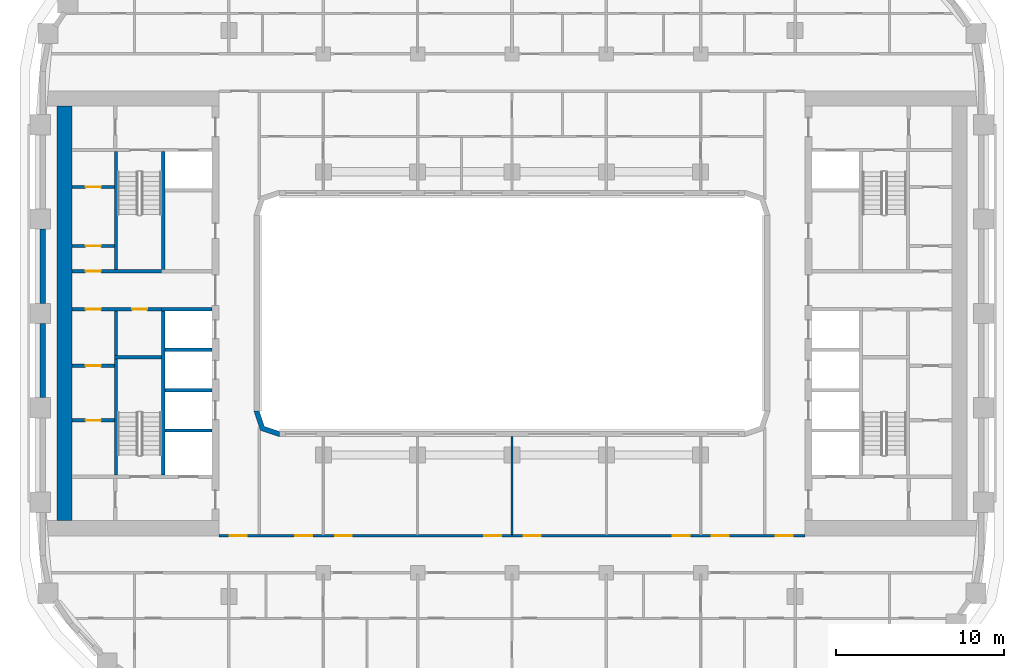
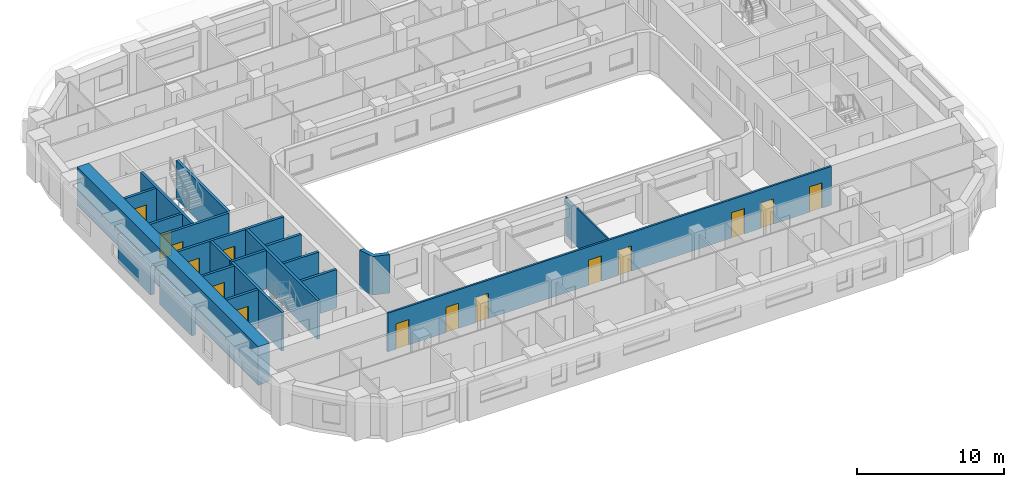
# One storey, part 4 of 21: 22 walls, 15 doors, 15 openings.
"""IFC4 building model written with IfcOpenShell, lengths in metres."""

from ifc_helpers import new_model, si_unit, direction, frame, frame_2d, origin, place, context, subcontext, project, spatial, polyline, rectangle, outline, extrude, material, layer, layer_set, type_object, element, fill, save


model = new_model("IFC4")

# Units and contexts
model_context = context("Model", 3, precision=1e-05, world=origin(), true_north=direction((0.0, 1.0)))
body_context = subcontext(model_context, "Body", "Model", "MODEL_VIEW")
ifc_project = project(units=[si_unit("LENGTHUNIT", "METRE"), si_unit("AREAUNIT", "SQUARE_METRE"), si_unit("VOLUMEUNIT", "CUBIC_METRE"), si_unit("PLANEANGLEUNIT", "RADIAN"), si_unit("MASSUNIT", "GRAM", prefix="KILO")], contexts=[model_context])

# Site, building, storey
site_placement = place(None, origin())
site = spatial("IfcSite", under=ifc_project, at=site_placement, CompositionType="ELEMENT")
building_placement = place(site_placement, origin())
building = spatial("IfcBuilding", under=site, at=building_placement, Name="Kiln Ring Residences", CompositionType="ELEMENT")
storey_placement = place(building_placement, frame((0.0, 0.0, 114.800048828125)))
storey = spatial("IfcBuildingStorey", under=building, at=storey_placement, Name="L29", CompositionType="ELEMENT", Elevation=114.800048828125)

# Wall
ifc_material_1 = material(Name="Gypsum board on steel studs", Category="steel")
ifc_layer_1 = layer(ifc_material_1, 0.199951171875)
ifc_layer_set_1 = layer_set([ifc_layer_1], Name="CORE-PARTITION-200")
wall_type_1 = type_object("IfcWallType", Name="CORE-PARTITION-200", PredefinedType="PARTITIONING", material=ifc_layer_set_1)
wall_1_placement = place(storey_placement, frame((-23.5, -2.5, 0.0), z_axis=(0.0, 0.0, 1.0), x_axis=(0.0, 1.0, 0.0)))
element("IfcWall", 1, at=wall_1_placement, inside=storey, type_object=wall_type_1, Name="Core partition west L29 1", PredefinedType="PARTITIONING", context=body_context, shape_type="SweptSolid", body=[
    extrude(rectangle(XDim=2.64990234375, YDim=0.199951171875, at=frame_2d((1.324951171875, 0.0))), origin(), (0.0, 0.0, 1.0), 3.199951171875),
])

# Wall, openings, doors
wall_2_placement = place(storey_placement, frame((-20.800048828125, 0.25, 0.0), z_axis=(0.0, 0.0, 1.0), x_axis=(-1.0, 0.0, 0.0)))
wall_2 = element("IfcWall", 2, at=wall_2_placement, inside=storey, type_object=wall_type_1, Name="Core partition west L29 2", PredefinedType="PARTITIONING", context=body_context, shape_type="SweptSolid", body=[
    extrude(rectangle(XDim=5.300048828125, YDim=0.199951171875, at=frame_2d((2.64990234375, 0.0))), origin(), (0.0, 0.0, 1.0), 3.199951171875),
])
opening_1_placement = place(wall_2_placement, frame((0.85009765625, 0.0, 0.0)))
opening_1 = element("IfcOpeningElement", 3, at=opening_1_placement, cuts=wall_2, Name="Opening L29-CW14", PredefinedType="OPENING", context=body_context, shape_type="SweptSolid", body=[
    extrude(rectangle(XDim=0.89990234375, YDim=2.10009765625, at=frame_2d((0.449951171875, 1.050048828125))), frame((0.0, 0.10986328125, 0.0), z_axis=(0.0, -1.0, 0.0), x_axis=(1.0, 0.0, 0.0)), (0.0, 0.0, 1.0), 0.219970703125),
])
opening_2_placement = place(wall_2_placement, frame((3.60009765625, 0.0, 0.0)))
opening_2 = element("IfcOpeningElement", 4, at=opening_2_placement, cuts=wall_2, Name="Opening L29-CW17", PredefinedType="OPENING", context=body_context, shape_type="SweptSolid", body=[
    extrude(rectangle(XDim=0.89990234375, YDim=2.10009765625, at=frame_2d((0.449951171875, 1.050048828125))), frame((0.0, 0.10986328125, 0.0), z_axis=(0.0, -1.0, 0.0), x_axis=(1.0, 0.0, 0.0)), (0.0, 0.0, 1.0), 0.219970703125),
])
ifc_material_2 = material(Name="Steel door leaf", Category="steel")
door_type_1 = type_object("IfcDoorType", Name="CORE-DOOR-ROOM", OperationType="SINGLE_SWING_LEFT", PredefinedType="DOOR", material=ifc_material_2)
door_1_placement = place(opening_1_placement, origin())
door_1 = element("IfcDoor", 5, at=door_1_placement, inside=storey, type_object=door_type_1, Name="Electrical riser room L29-CW14", OperationType="SINGLE_SWING_RIGHT", OverallHeight=2.10009765625, OverallWidth=0.89990234375, PredefinedType="DOOR", context=body_context, shape_type="SweptSolid", body=[
    extrude(rectangle(XDim=0.89990234375, YDim=2.10009765625, at=frame_2d((0.449951171875, 1.050048828125))), frame((0.0, 0.02490234375, 0.0), z_axis=(0.0, -1.0, 0.0), x_axis=(1.0, 0.0, 0.0)), (0.0, 0.0, 1.0), 0.050048828125),
])
fill(opening_1, door_1)
door_2_placement = place(opening_2_placement, origin())
door_2 = element("IfcDoor", 6, at=door_2_placement, inside=storey, type_object=door_type_1, Name="Plant room L29-CW17", OperationType="SINGLE_SWING_LEFT", OverallHeight=2.10009765625, OverallWidth=0.89990234375, PredefinedType="DOOR", context=body_context, shape_type="SweptSolid", body=[
    extrude(rectangle(XDim=0.89990234375, YDim=2.10009765625, at=frame_2d((0.449951171875, 1.050048828125))), frame((0.0, 0.02490234375, 0.0), z_axis=(0.0, -1.0, 0.0), x_axis=(1.0, 0.0, 0.0)), (0.0, 0.0, 1.0), 0.050048828125),
])
fill(opening_2, door_2)

# Wall, opening, door
wall_3_placement = place(storey_placement, frame((-23.60009765625, -6.35009765625, 0.0), z_axis=(0.0, 0.0, 1.0), x_axis=(-1.0, 0.0, 0.0)))
wall_3 = element("IfcWall", 7, at=wall_3_placement, inside=storey, type_object=wall_type_1, Name="Core partition west L29 5", PredefinedType="PARTITIONING", context=body_context, shape_type="SweptSolid", body=[
    extrude(rectangle(XDim=2.5, YDim=0.199951171875, at=frame_2d((1.25, 0.0))), origin(), (0.0, 0.0, 1.0), 3.199951171875),
])
opening_3_placement = place(wall_3_placement, frame((0.800048828125, 0.0, 0.0)))
opening_3 = element("IfcOpeningElement", 8, at=opening_3_placement, cuts=wall_3, Name="Opening L29-CW15", PredefinedType="OPENING", context=body_context, shape_type="SweptSolid", body=[
    extrude(rectangle(XDim=0.89990234375, YDim=2.10009765625, at=frame_2d((0.449951171875, 1.050048828125))), frame((0.0, 0.10986328125, 0.0), z_axis=(0.0, -1.0, 0.0), x_axis=(1.0, 0.0, 0.0)), (0.0, 0.0, 1.0), 0.219970703125),
])
door_3_placement = place(opening_3_placement, origin())
door_3 = element("IfcDoor", 9, at=door_3_placement, inside=storey, type_object=door_type_1, Name="Meter room L29-CW15", OperationType="SINGLE_SWING_RIGHT", OverallHeight=2.10009765625, OverallWidth=0.89990234375, PredefinedType="DOOR", context=body_context, shape_type="SweptSolid", body=[
    extrude(rectangle(XDim=0.89990234375, YDim=2.10009765625, at=frame_2d((0.449951171875, 1.050048828125))), frame((0.0, 0.02490234375, 0.0), z_axis=(0.0, -1.0, 0.0), x_axis=(1.0, 0.0, 0.0)), (0.0, 0.0, 1.0), 0.050048828125),
])
fill(opening_3, door_3)

wall_4_placement = place(storey_placement, frame((-23.60009765625, -3.10009765625, 0.0), z_axis=(0.0, 0.0, 1.0), x_axis=(-1.0, 0.0, 0.0)))
wall_4 = element("IfcWall", 10, at=wall_4_placement, inside=storey, type_object=wall_type_1, Name="Core partition west L29 6", PredefinedType="PARTITIONING", context=body_context, shape_type="SweptSolid", body=[
    extrude(rectangle(XDim=2.5, YDim=0.199951171875, at=frame_2d((1.25, 0.0))), origin(), (0.0, 0.0, 1.0), 3.199951171875),
])
opening_4_placement = place(wall_4_placement, frame((0.800048828125, 0.0, 0.0)))
opening_4 = element("IfcOpeningElement", 11, at=opening_4_placement, cuts=wall_4, Name="Opening L29-CW16", PredefinedType="OPENING", context=body_context, shape_type="SweptSolid", body=[
    extrude(rectangle(XDim=0.89990234375, YDim=2.10009765625, at=frame_2d((0.449951171875, 1.050048828125))), frame((0.0, 0.10986328125, 0.0), z_axis=(0.0, -1.0, 0.0), x_axis=(1.0, 0.0, 0.0)), (0.0, 0.0, 1.0), 0.219970703125),
])
door_4_placement = place(opening_4_placement, origin())
door_4 = element("IfcDoor", 12, at=door_4_placement, inside=storey, type_object=door_type_1, Name="Plant room L29-CW16", OperationType="SINGLE_SWING_LEFT", OverallHeight=2.10009765625, OverallWidth=0.89990234375, PredefinedType="DOOR", context=body_context, shape_type="SweptSolid", body=[
    extrude(rectangle(XDim=0.89990234375, YDim=2.10009765625, at=frame_2d((0.449951171875, 1.050048828125))), frame((0.0, 0.02490234375, 0.0), z_axis=(0.0, -1.0, 0.0), x_axis=(1.0, 0.0, 0.0)), (0.0, 0.0, 1.0), 0.050048828125),
])
fill(opening_4, door_4)

wall_5_placement = place(storey_placement, frame((-23.60009765625, 4.0, 0.0), z_axis=(0.0, 0.0, 1.0), x_axis=(-1.0, 0.0, 0.0)))
wall_5 = element("IfcWall", 13, at=wall_5_placement, inside=storey, type_object=wall_type_1, Name="Core partition west L29 7", PredefinedType="PARTITIONING", context=body_context, shape_type="SweptSolid", body=[
    extrude(rectangle(XDim=2.5, YDim=0.199951171875, at=frame_2d((1.25, 0.0))), origin(), (0.0, 0.0, 1.0), 3.199951171875),
])
opening_5_placement = place(wall_5_placement, frame((0.800048828125, 0.0, 0.0)))
opening_5 = element("IfcOpeningElement", 14, at=opening_5_placement, cuts=wall_5, Name="Opening L29-CW18", PredefinedType="OPENING", context=body_context, shape_type="SweptSolid", body=[
    extrude(rectangle(XDim=0.89990234375, YDim=2.10009765625, at=frame_2d((0.449951171875, 1.050048828125))), frame((0.0, 0.10986328125, 0.0), z_axis=(0.0, -1.0, 0.0), x_axis=(1.0, 0.0, 0.0)), (0.0, 0.0, 1.0), 0.219970703125),
])
door_5_placement = place(opening_5_placement, origin())
door_5 = element("IfcDoor", 15, at=door_5_placement, inside=storey, type_object=door_type_1, Name="Electrical plant room L29-CW18", OperationType="SINGLE_SWING_LEFT", OverallHeight=2.10009765625, OverallWidth=0.89990234375, PredefinedType="DOOR", context=body_context, shape_type="SweptSolid", body=[
    extrude(rectangle(XDim=0.89990234375, YDim=2.10009765625, at=frame_2d((0.449951171875, 1.050048828125))), frame((0.0, 0.02490234375, 0.0), z_axis=(0.0, -1.0, 0.0), x_axis=(1.0, 0.0, 0.0)), (0.0, 0.0, 1.0), 0.050048828125),
])
fill(opening_5, door_5)

wall_6_placement = place(storey_placement, frame((-23.60009765625, 7.5, 0.0), z_axis=(0.0, 0.0, 1.0), x_axis=(-1.0, 0.0, 0.0)))
wall_6 = element("IfcWall", 16, at=wall_6_placement, inside=storey, type_object=wall_type_1, Name="Core partition west L29 8", PredefinedType="PARTITIONING", context=body_context, shape_type="SweptSolid", body=[
    extrude(rectangle(XDim=2.5, YDim=0.199951171875, at=frame_2d((1.25, 0.0))), origin(), (0.0, 0.0, 1.0), 3.199951171875),
])
opening_6_placement = place(wall_6_placement, frame((0.800048828125, 0.0, 0.0)))
opening_6 = element("IfcOpeningElement", 17, at=opening_6_placement, cuts=wall_6, Name="Opening L29-CW19", PredefinedType="OPENING", context=body_context, shape_type="SweptSolid", body=[
    extrude(rectangle(XDim=0.89990234375, YDim=2.10009765625, at=frame_2d((0.449951171875, 1.050048828125))), frame((0.0, 0.10986328125, 0.0), z_axis=(0.0, -1.0, 0.0), x_axis=(1.0, 0.0, 0.0)), (0.0, 0.0, 1.0), 0.219970703125),
])
door_6_placement = place(opening_6_placement, origin())
door_6 = element("IfcDoor", 18, at=door_6_placement, inside=storey, type_object=door_type_1, Name="UPS room L29-CW19", OperationType="SINGLE_SWING_RIGHT", OverallHeight=2.10009765625, OverallWidth=0.89990234375, PredefinedType="DOOR", context=body_context, shape_type="SweptSolid", body=[
    extrude(rectangle(XDim=0.89990234375, YDim=2.10009765625, at=frame_2d((0.449951171875, 1.050048828125))), frame((0.0, 0.02490234375, 0.0), z_axis=(0.0, -1.0, 0.0), x_axis=(1.0, 0.0, 0.0)), (0.0, 0.0, 1.0), 0.050048828125),
])
fill(opening_6, door_6)

# Walls
ifc_material_3 = material(Name="Gypsum shaft wall system")
ifc_layer_2 = layer(ifc_material_3, 0.199951171875)
ifc_layer_set_2 = layer_set([ifc_layer_2], Name="CORE-SHAFT-WALL-200")
wall_type_2 = type_object("IfcWallType", Name="CORE-SHAFT-WALL-200", PredefinedType="PARTITIONING", material=ifc_layer_set_2)
for number, where, z_axis, x_axis, name in (
    (19, (-17.800048828125, -6.949951171875, 0.0), (0.0, 0.0, 1.0), (-1.0, 0.0, 0.0), "Core partition west L29 9"),
    (20, (-17.800048828125, -4.550048828125, 0.0), (0.0, 0.0, 1.0), (-1.0, 0.0, 0.0), "Core partition west L29 10"),
    (21, (-17.800048828125, -2.14990234375, 0.0), (0.0, 0.0, 1.0), (-1.0, 0.0, 0.0), "Core partition west L29 11"),
):
    element("IfcWall", number, at=place(storey_placement, frame(where, z_axis=z_axis, x_axis=x_axis)), inside=storey, type_object=wall_type_2, Name=name, PredefinedType="PARTITIONING", context=body_context, shape_type="SweptSolid", body=[
        extrude(rectangle(XDim=2.800048828125, YDim=0.199951171875, at=frame_2d((1.39990234375, 0.0))), origin(), (0.0, 0.0, 1.0), 3.199951171875),
    ])
wall_7_placement = place(storey_placement, frame((-17.800048828125, 0.25, 0.0), z_axis=(0.0, 0.0, 1.0), x_axis=(-1.0, 0.0, 0.0)))
element("IfcWall", 22, at=wall_7_placement, inside=storey, type_object=wall_type_2, Name="Core partition west L29 12", PredefinedType="PARTITIONING", context=body_context, shape_type="SweptSolid", body=[
    extrude(rectangle(XDim=3.0, YDim=0.199951171875, at=frame_2d((1.5, 0.0))), origin(), (0.0, 0.0, 1.0), 3.199951171875),
])
ifc_material_4 = material(Name="Concrete C40/50", Category="concrete")
ifc_layer_3 = layer(ifc_material_4, 0.199951171875)
ifc_layer_set_3 = layer_set([ifc_layer_3], Name="CORE-WALL-RC200")
wall_type_3 = type_object("IfcWallType", Name="CORE-WALL-RC200", PredefinedType="SHEAR", material=ifc_layer_set_3)
wall_8_placement = place(storey_placement, frame((-20.699951171875, 2.60009765625, 0.0), z_axis=(0.0, 0.0, 1.0), x_axis=(0.0, 1.0, 0.0)))
element("IfcWall", 23, at=wall_8_placement, inside=storey, type_object=wall_type_3, Name="Core wall west L29 1", PredefinedType="SHEAR", context=body_context, shape_type="SweptSolid", body=[
    extrude(rectangle(XDim=7.0, YDim=0.199951171875, at=frame_2d((3.5, 0.0))), origin(), (0.0, 0.0, 1.0), 3.199951171875),
])
wall_9_placement = place(storey_placement, frame((-20.699951171875, -9.60009765625, 0.0), z_axis=(0.0, 0.0, 1.0), x_axis=(0.0, 1.0, 0.0)))
element("IfcWall", 24, at=wall_9_placement, inside=storey, type_object=wall_type_3, Name="Core wall west L29 2", PredefinedType="SHEAR", context=body_context, shape_type="SweptSolid", body=[
    extrude(rectangle(XDim=9.75, YDim=0.199951171875, at=frame_2d((4.875, 0.0))), origin(), (0.0, 0.0, 1.0), 3.199951171875),
])

# Wall, opening, door
wall_10_placement = place(storey_placement, frame((-20.800048828125, 2.5, 0.0), z_axis=(0.0, 0.0, 1.0), x_axis=(-1.0, 0.0, 0.0)))
wall_10 = element("IfcWall", 25, at=wall_10_placement, inside=storey, type_object=wall_type_3, Name="Core wall west L29 3", PredefinedType="SHEAR", context=body_context, shape_type="SweptSolid", body=[
    extrude(rectangle(XDim=5.300048828125, YDim=0.199951171875, at=frame_2d((2.64990234375, 0.0))), origin(), (0.0, 0.0, 1.0), 3.199951171875),
])
opening_7_placement = place(wall_10_placement, frame((3.60009765625, 0.0, 0.0)))
opening_7 = element("IfcOpeningElement", 26, at=opening_7_placement, cuts=wall_10, Name="Opening L29-CW20", PredefinedType="OPENING", context=body_context, shape_type="SweptSolid", body=[
    extrude(rectangle(XDim=0.89990234375, YDim=2.10009765625, at=frame_2d((0.449951171875, 1.050048828125))), frame((0.0, 0.10986328125, 0.0), z_axis=(0.0, -1.0, 0.0), x_axis=(1.0, 0.0, 0.0)), (0.0, 0.0, 1.0), 0.219970703125),
])
door_7_placement = place(opening_7_placement, origin())
door_7 = element("IfcDoor", 27, at=door_7_placement, inside=storey, type_object=door_type_1, Name="Comms room L29-CW20", OperationType="SINGLE_SWING_LEFT", OverallHeight=2.10009765625, OverallWidth=0.89990234375, PredefinedType="DOOR", context=body_context, shape_type="SweptSolid", body=[
    extrude(rectangle(XDim=0.89990234375, YDim=2.10009765625, at=frame_2d((0.449951171875, 1.050048828125))), frame((0.0, 0.02490234375, 0.0), z_axis=(0.0, -1.0, 0.0), x_axis=(1.0, 0.0, 0.0)), (0.0, 0.0, 1.0), 0.050048828125),
])
fill(opening_7, door_7)

# Walls
wall_11_placement = place(storey_placement, frame((-23.5, 2.60009765625, 0.0), z_axis=(0.0, 0.0, 1.0), x_axis=(0.0, 1.0, 0.0)))
element("IfcWall", 28, at=wall_11_placement, inside=storey, type_object=wall_type_3, Name="Core wall west L29 10", PredefinedType="SHEAR", context=body_context, shape_type="SweptSolid", body=[
    extrude(rectangle(XDim=7.0, YDim=0.199951171875, at=frame_2d((3.5, 0.0))), origin(), (0.0, 0.0, 1.0), 3.199951171875),
])
wall_12_placement = place(storey_placement, frame((-23.5, -9.60009765625, 0.0), z_axis=(0.0, 0.0, 1.0), x_axis=(0.0, 1.0, 0.0)))
element("IfcWall", 29, at=wall_12_placement, inside=storey, type_object=wall_type_3, Name="Core wall west L29 11", PredefinedType="SHEAR", context=body_context, shape_type="SweptSolid", body=[
    extrude(rectangle(XDim=6.900146484375, YDim=0.199951171875, at=frame_2d((3.4501953125, 0.0))), origin(), (0.0, 0.0, 1.0), 3.199951171875),
])
wall_13_placement = place(storey_placement, frame((-20.800048828125, -2.60009765625, 0.0), z_axis=(0.0, 0.0, 1.0), x_axis=(-1.0, 0.0, 0.0)))
element("IfcWall", 30, at=wall_13_placement, inside=storey, type_object=wall_type_3, Name="Core wall west L29 12", PredefinedType="SHEAR", context=body_context, shape_type="SweptSolid", body=[
    extrude(rectangle(XDim=2.800048828125, YDim=0.199951171875, at=frame_2d((1.39990234375, 0.0))), origin(), (0.0, 0.0, 1.0), 3.199951171875),
])
ifc_material_5 = material(Name="Concrete C60/75", Category="concrete")
ifc_layer_4 = layer(ifc_material_5, 0.89990234375)
ifc_layer_set_4 = layer_set([ifc_layer_4], Name="CORE-WALL-RC900")
wall_type_4 = type_object("IfcWallType", Name="CORE-WALL-RC900", PredefinedType="SHEAR", material=ifc_layer_set_4)
wall_14_placement = place(storey_placement, frame((-26.550048828125, -12.300048828125, 0.0), z_axis=(0.0, 0.0, 1.0), x_axis=(0.0, 1.0, 0.0)))
element("IfcWall", 31, at=wall_14_placement, inside=storey, type_object=wall_type_4, Name="Core wall west L29 7", PredefinedType="SHEAR", context=body_context, shape_type="SweptSolid", body=[
    extrude(rectangle(XDim=24.60009765625, YDim=0.89990234375, at=frame_2d((12.300048828125, 0.0))), origin(), (0.0, 0.0, 1.0), 3.199951171875),
])
ifc_material_6 = material(Name="Brick masonry, dark clay brick", Category="masonry")
ifc_layer_5 = layer(ifc_material_6, 0.300048828125)
ifc_layer_set_5 = layer_set([ifc_layer_5], Name="EW-300 BRICK WALL")
wall_type_5 = type_object("IfcWallType", Name="EW-300 BRICK WALL", PredefinedType="SOLIDWALL", material=ifc_layer_set_5)
for number, where, z_axis, x_axis, name in (
    (32, (-27.85009765625, 5.0, 0.0), (0.0, 0.0, 1.0), (0.0, -1.0, 0.0), "Facade wall L29 43"),
    (33, (-27.85009765625, -0.60009765625, 0.0), (0.0, 0.0, 1.0), (0.0, -1.0, 0.0), "Facade wall L29 44"),
):
    element("IfcWall", number, at=place(storey_placement, frame(where, z_axis=z_axis, x_axis=x_axis)), inside=storey, type_object=wall_type_5, Name=name, PredefinedType="SOLIDWALL", context=body_context, shape_type="SweptSolid", body=[
        extrude(rectangle(XDim=4.39990234375, YDim=0.300048828125, at=frame_2d((2.199951171875, 0.0))), origin(), (0.0, 0.0, 1.0), 2.39990234375),
    ])
wall_15_placement = place(storey_placement, origin())
element("IfcWall", 34, at=wall_15_placement, inside=storey, type_object=wall_type_5, Name="Corner wall L29 4", PredefinedType="SOLIDWALL", context=body_context, shape_type="SweptSolid", body=[
    extrude(outline(polyline([(-14.937255859375, -6.937255859375), (-13.8486328125, -7.300048828125), (-13.800048828125, -7.300048828125), (-13.800048828125, -7.0), (-14.699951171875, -6.699951171875), (-15.0, -5.800048828125), (-15.300048828125, -5.800048828125), (-15.300048828125, -5.8486328125), (-14.937255859375, -6.937255859375)])), origin(), (0.0, 0.0, 1.0), 3.199951171875),
])
ifc_material_7 = material(Name="Gypsum board on steel studs", Category="steel")
ifc_layer_6 = layer(ifc_material_7, 0.10009765625)
ifc_layer_set_6 = layer_set([ifc_layer_6], Name="PARTITION-100")
wall_type_6 = type_object("IfcWallType", Name="PARTITION-100", PredefinedType="PARTITIONING", material=ifc_layer_set_6)
wall_16_placement = place(storey_placement, frame((0.0, -13.125, 0.0), z_axis=(0.0, 0.0, 1.0), x_axis=(0.0, 1.0, 0.0)))
element("IfcWall", 35, at=wall_16_placement, inside=storey, type_object=wall_type_6, Name="Partition 037", PredefinedType="PARTITIONING", context=body_context, shape_type="SweptSolid", body=[
    extrude(rectangle(XDim=5.804931640625, YDim=0.10009765625, at=frame_2d((2.90234375, 0.0))), origin(), (0.0, 0.0, 1.0), 3.199951171875),
])

# Wall, openings, doors
ifc_material_8 = material(Name="Brick masonry partition", Category="masonry")
ifc_layer_7 = layer(ifc_material_8, 0.14990234375)
ifc_layer_set_7 = layer_set([ifc_layer_7], Name="PARTITION-150-ei60")
wall_type_7 = type_object("IfcWallType", Name="PARTITION-150-ei60", PredefinedType="PARTITIONING", material=ifc_layer_set_7)
wall_17_placement = place(storey_placement, frame((-17.39990234375, -13.199951171875, 0.0), z_axis=(0.0, 0.0, 1.0), x_axis=(1.0, 0.0, 0.0)))
wall_17 = element("IfcWall", 36, at=wall_17_placement, inside=storey, type_object=wall_type_7, Name="Partition 002", PredefinedType="PARTITIONING", context=body_context, shape_type="SweptSolid", body=[
    extrude(rectangle(XDim=34.7998046875, YDim=0.14990234375, at=frame_2d((17.39990234375, 0.0))), origin(), (0.0, 0.0, 1.0), 3.199951171875),
])
opening_8_placement = place(wall_17_placement, frame((0.64990234375, 0.0, 0.0)))
opening_8 = element("IfcOpeningElement", 37, at=opening_8_placement, cuts=wall_17, Name="Opening L29-D003", PredefinedType="OPENING", context=body_context, shape_type="SweptSolid", body=[
    extrude(rectangle(XDim=1.0, YDim=2.10009765625, at=frame_2d((0.5, 1.050048828125))), frame((0.0, 0.0849609375, 0.0), z_axis=(0.0, -1.0, 0.0), x_axis=(1.0, 0.0, 0.0)), (0.0, 0.0, 1.0), 0.169921875),
])
opening_9_placement = place(wall_17_placement, frame((33.050048828125, 0.0, 0.0)))
opening_9 = element("IfcOpeningElement", 38, at=opening_9_placement, cuts=wall_17, Name="Opening L29-D004", PredefinedType="OPENING", context=body_context, shape_type="SweptSolid", body=[
    extrude(rectangle(XDim=1.0, YDim=2.10009765625, at=frame_2d((0.5, 1.050048828125))), frame((0.0, 0.0849609375, 0.0), z_axis=(0.0, -1.0, 0.0), x_axis=(1.0, 0.0, 0.0)), (0.0, 0.0, 1.0), 0.169921875),
])
opening_10_placement = place(wall_17_placement, frame((4.550048828125, 0.0, 0.0)))
opening_10 = element("IfcOpeningElement", 39, at=opening_10_placement, cuts=wall_17, Name="Opening L29-D043", PredefinedType="OPENING", context=body_context, shape_type="SweptSolid", body=[
    extrude(rectangle(XDim=1.0, YDim=2.10009765625, at=frame_2d((0.5, 1.050048828125))), frame((0.0, 0.0849609375, 0.0), z_axis=(0.0, -1.0, 0.0), x_axis=(1.0, 0.0, 0.0)), (0.0, 0.0, 1.0), 0.169921875),
])
opening_11_placement = place(wall_17_placement, frame((6.89990234375, 0.0, 0.0)))
opening_11 = element("IfcOpeningElement", 40, at=opening_11_placement, cuts=wall_17, Name="Opening L29-D044", PredefinedType="OPENING", context=body_context, shape_type="SweptSolid", body=[
    extrude(rectangle(XDim=1.0, YDim=2.10009765625, at=frame_2d((0.5, 1.050048828125))), frame((0.0, 0.0849609375, 0.0), z_axis=(0.0, -1.0, 0.0), x_axis=(1.0, 0.0, 0.0)), (0.0, 0.0, 1.0), 0.169921875),
])
opening_12_placement = place(wall_17_placement, frame((15.75, 0.0, 0.0)))
opening_12 = element("IfcOpeningElement", 41, at=opening_12_placement, cuts=wall_17, Name="Opening L29-D045", PredefinedType="OPENING", context=body_context, shape_type="SweptSolid", body=[
    extrude(rectangle(XDim=1.0, YDim=2.10009765625, at=frame_2d((0.5, 1.050048828125))), frame((0.0, 0.0849609375, 0.0), z_axis=(0.0, -1.0, 0.0), x_axis=(1.0, 0.0, 0.0)), (0.0, 0.0, 1.0), 0.169921875),
])
opening_13_placement = place(wall_17_placement, frame((18.10009765625, 0.0, 0.0)))
opening_13 = element("IfcOpeningElement", 42, at=opening_13_placement, cuts=wall_17, Name="Opening L29-D046", PredefinedType="OPENING", context=body_context, shape_type="SweptSolid", body=[
    extrude(rectangle(XDim=1.0, YDim=2.10009765625, at=frame_2d((0.5, 1.050048828125))), frame((0.0, 0.0849609375, 0.0), z_axis=(0.0, -1.0, 0.0), x_axis=(1.0, 0.0, 0.0)), (0.0, 0.0, 1.0), 0.169921875),
])
opening_14_placement = place(wall_17_placement, frame((26.949951171875, 0.0, 0.0)))
opening_14 = element("IfcOpeningElement", 43, at=opening_14_placement, cuts=wall_17, Name="Opening L29-D047", PredefinedType="OPENING", context=body_context, shape_type="SweptSolid", body=[
    extrude(rectangle(XDim=1.0, YDim=2.10009765625, at=frame_2d((0.5, 1.050048828125))), frame((0.0, 0.0849609375, 0.0), z_axis=(0.0, -1.0, 0.0), x_axis=(1.0, 0.0, 0.0)), (0.0, 0.0, 1.0), 0.169921875),
])
opening_15_placement = place(wall_17_placement, frame((29.25, 0.0, 0.0)))
opening_15 = element("IfcOpeningElement", 44, at=opening_15_placement, cuts=wall_17, Name="Opening L29-D048", PredefinedType="OPENING", context=body_context, shape_type="SweptSolid", body=[
    extrude(rectangle(XDim=1.0, YDim=2.10009765625, at=frame_2d((0.5, 1.050048828125))), frame((0.0, 0.0849609375, 0.0), z_axis=(0.0, -1.0, 0.0), x_axis=(1.0, 0.0, 0.0)), (0.0, 0.0, 1.0), 0.169921875),
])
ifc_material_9 = material(Name="Steel faced fire door leaf", Category="steel")
door_type_2 = type_object("IfcDoorType", Name="FLAT-DOOR-1000-FR", OperationType="SINGLE_SWING_LEFT", PredefinedType="DOOR", material=ifc_material_9)
door_8_placement = place(opening_8_placement, origin())
door_8 = element("IfcDoor", 45, at=door_8_placement, inside=storey, type_object=door_type_2, Name="Door L29-D003", OperationType="SINGLE_SWING_RIGHT", OverallHeight=2.10009765625, OverallWidth=1.0, PredefinedType="DOOR", context=body_context, shape_type="SweptSolid", body=[
    extrude(rectangle(XDim=1.0, YDim=2.10009765625, at=frame_2d((0.5, 1.050048828125))), frame((0.0, 0.02490234375, 0.0), z_axis=(0.0, -1.0, 0.0), x_axis=(1.0, 0.0, 0.0)), (0.0, 0.0, 1.0), 0.050048828125),
])
fill(opening_8, door_8)
door_9_placement = place(opening_9_placement, origin())
door_9 = element("IfcDoor", 46, at=door_9_placement, inside=storey, type_object=door_type_2, Name="Door L29-D004", OperationType="SINGLE_SWING_LEFT", OverallHeight=2.10009765625, OverallWidth=1.0, PredefinedType="DOOR", context=body_context, shape_type="SweptSolid", body=[
    extrude(rectangle(XDim=1.0, YDim=2.10009765625, at=frame_2d((0.5, 1.050048828125))), frame((0.0, 0.02490234375, 0.0), z_axis=(0.0, -1.0, 0.0), x_axis=(1.0, 0.0, 0.0)), (0.0, 0.0, 1.0), 0.050048828125),
])
fill(opening_9, door_9)
door_10_placement = place(opening_10_placement, origin())
door_10 = element("IfcDoor", 47, at=door_10_placement, inside=storey, type_object=door_type_2, Name="Door L29-D043", OperationType="SINGLE_SWING_LEFT", OverallHeight=2.10009765625, OverallWidth=1.0, PredefinedType="DOOR", context=body_context, shape_type="SweptSolid", body=[
    extrude(rectangle(XDim=1.0, YDim=2.10009765625, at=frame_2d((0.5, 1.050048828125))), frame((0.0, 0.02490234375, 0.0), z_axis=(0.0, -1.0, 0.0), x_axis=(1.0, 0.0, 0.0)), (0.0, 0.0, 1.0), 0.050048828125),
])
fill(opening_10, door_10)
door_11_placement = place(opening_11_placement, origin())
door_11 = element("IfcDoor", 48, at=door_11_placement, inside=storey, type_object=door_type_2, Name="Door L29-D044", OperationType="SINGLE_SWING_RIGHT", OverallHeight=2.10009765625, OverallWidth=1.0, PredefinedType="DOOR", context=body_context, shape_type="SweptSolid", body=[
    extrude(rectangle(XDim=1.0, YDim=2.10009765625, at=frame_2d((0.5, 1.050048828125))), frame((0.0, 0.02490234375, 0.0), z_axis=(0.0, -1.0, 0.0), x_axis=(1.0, 0.0, 0.0)), (0.0, 0.0, 1.0), 0.050048828125),
])
fill(opening_11, door_11)
door_12_placement = place(opening_12_placement, origin())
door_12 = element("IfcDoor", 49, at=door_12_placement, inside=storey, type_object=door_type_2, Name="Door L29-D045", OperationType="SINGLE_SWING_LEFT", OverallHeight=2.10009765625, OverallWidth=1.0, PredefinedType="DOOR", context=body_context, shape_type="SweptSolid", body=[
    extrude(rectangle(XDim=1.0, YDim=2.10009765625, at=frame_2d((0.5, 1.050048828125))), frame((0.0, 0.02490234375, 0.0), z_axis=(0.0, -1.0, 0.0), x_axis=(1.0, 0.0, 0.0)), (0.0, 0.0, 1.0), 0.050048828125),
])
fill(opening_12, door_12)
door_13_placement = place(opening_13_placement, origin())
door_13 = element("IfcDoor", 50, at=door_13_placement, inside=storey, type_object=door_type_2, Name="Door L29-D046", OperationType="SINGLE_SWING_RIGHT", OverallHeight=2.10009765625, OverallWidth=1.0, PredefinedType="DOOR", context=body_context, shape_type="SweptSolid", body=[
    extrude(rectangle(XDim=1.0, YDim=2.10009765625, at=frame_2d((0.5, 1.050048828125))), frame((0.0, 0.02490234375, 0.0), z_axis=(0.0, -1.0, 0.0), x_axis=(1.0, 0.0, 0.0)), (0.0, 0.0, 1.0), 0.050048828125),
])
fill(opening_13, door_13)
door_14_placement = place(opening_14_placement, origin())
door_14 = element("IfcDoor", 51, at=door_14_placement, inside=storey, type_object=door_type_2, Name="Door L29-D047", OperationType="SINGLE_SWING_LEFT", OverallHeight=2.10009765625, OverallWidth=1.0, PredefinedType="DOOR", context=body_context, shape_type="SweptSolid", body=[
    extrude(rectangle(XDim=1.0, YDim=2.10009765625, at=frame_2d((0.5, 1.050048828125))), frame((0.0, 0.02490234375, 0.0), z_axis=(0.0, -1.0, 0.0), x_axis=(1.0, 0.0, 0.0)), (0.0, 0.0, 1.0), 0.050048828125),
])
fill(opening_14, door_14)
door_15_placement = place(opening_15_placement, origin())
door_15 = element("IfcDoor", 52, at=door_15_placement, inside=storey, type_object=door_type_2, Name="Door L29-D048", OperationType="SINGLE_SWING_RIGHT", OverallHeight=2.10009765625, OverallWidth=1.0, PredefinedType="DOOR", context=body_context, shape_type="SweptSolid", body=[
    extrude(rectangle(XDim=1.0, YDim=2.10009765625, at=frame_2d((0.5, 1.050048828125))), frame((0.0, 0.02490234375, 0.0), z_axis=(0.0, -1.0, 0.0), x_axis=(1.0, 0.0, 0.0)), (0.0, 0.0, 1.0), 0.050048828125),
])
fill(opening_15, door_15)

save(model, "model.ifc")
